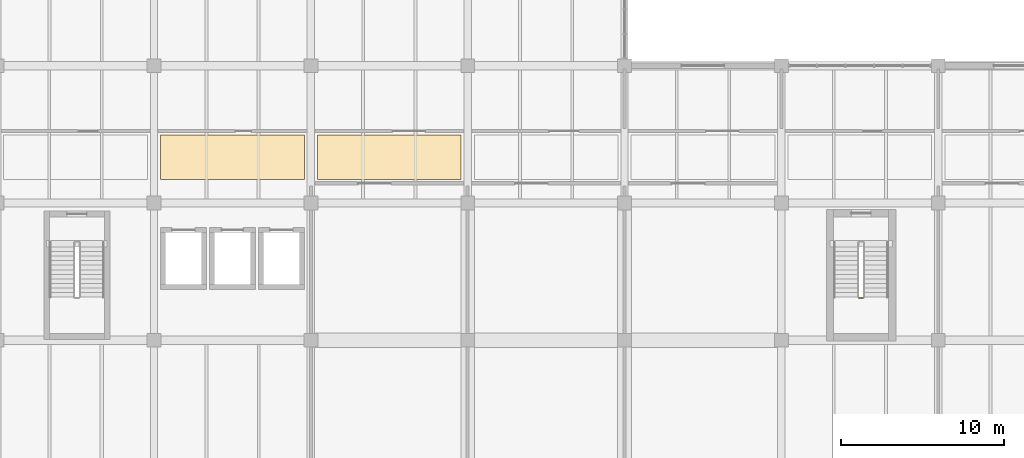
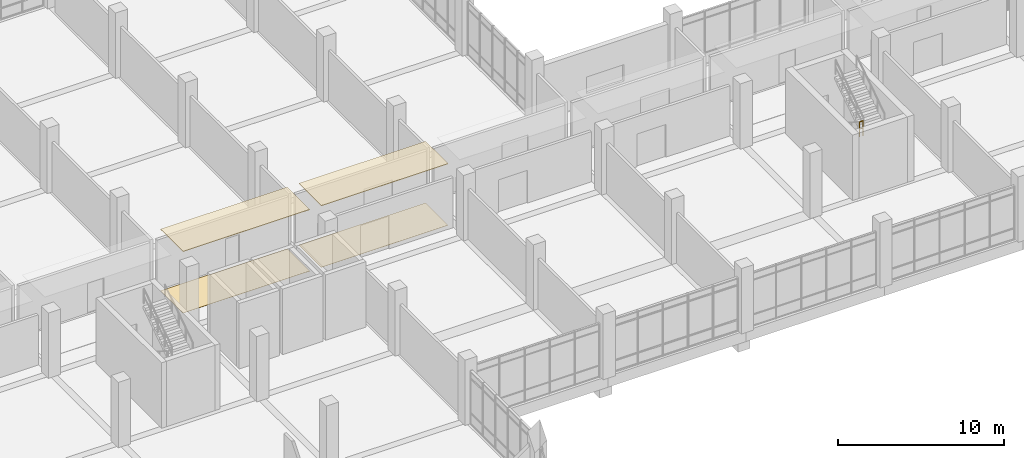
# One storey, part 140 of 152: 4 coverings, 1 railing.
"""IFC4 building model written with IfcOpenShell, lengths in metres."""

from ifc_helpers import new_model, si_unit, direction, frame, origin, origin_2d, place, context, subcontext, project, spatial, polyline, circle, outline, extrude, material, layer, layer_set, type_object, element, save


model = new_model("IFC4")

# Units and contexts
model_context = context("Model", 3, precision=1e-05, world=origin(), true_north=direction((0.0, 1.0)))
body_context = subcontext(model_context, "Body", "Model", "MODEL_VIEW")
ifc_project = project(units=[si_unit("LENGTHUNIT", "METRE"), si_unit("AREAUNIT", "SQUARE_METRE"), si_unit("VOLUMEUNIT", "CUBIC_METRE"), si_unit("PLANEANGLEUNIT", "RADIAN"), si_unit("MASSUNIT", "GRAM", prefix="KILO")], contexts=[model_context])

# Site, building, storey
site_placement = place(None, origin())
site = spatial("IfcSite", under=ifc_project, at=site_placement, CompositionType="ELEMENT")
building_placement = place(site_placement, origin())
building = spatial("IfcBuilding", under=site, at=building_placement, Name="Oolite Switchyard Hospital", CompositionType="ELEMENT")
storey_placement = place(building_placement, frame((0.0, 0.0, 5.10009765625)))
storey = spatial("IfcBuildingStorey", under=building, at=storey_placement, Name="L01", CompositionType="ELEMENT", Elevation=5.10009765625)

# Coverings
ifc_material_1 = material(Name="Hygienic washable mineral-fibre acoustic ceiling")
ifc_layer_1 = layer(ifc_material_1, 0.0400390625)
ifc_layer_set_1 = layer_set([ifc_layer_1], Name="COV-CEIL-AC60")
covering_type_1 = type_object("IfcCoveringType", Name="COV-CEIL-AC60", PredefinedType="CEILING", material=ifc_layer_set_1)
covering_1_placement = place(storey_placement, frame((0.0, 0.0, 4.5)))
element("IfcCovering", 1, at=covering_1_placement, inside=storey, type_object=covering_type_1, Name="L01 Surgical Clean Corridor Ceiling 5", PredefinedType="CEILING", context=body_context, shape_type="SweptSolid", body=[
    extrude(outline(polyline([(48.39990234375, 102.25), (57.199951171875, 102.25), (57.199951171875, 104.949951171875), (48.39990234375, 104.949951171875), (48.39990234375, 102.25)])), origin(), (0.0, 0.0, 1.0), 0.039794921875),
])
covering_2_placement = place(storey_placement, frame((0.0, 0.0, 4.5)))
element("IfcCovering", 2, at=covering_2_placement, inside=storey, type_object=covering_type_1, Name="L01 Surgical Clean Corridor Ceiling 6", PredefinedType="CEILING", context=body_context, shape_type="SweptSolid", body=[
    extrude(outline(polyline([(58.0, 102.25), (66.800048828125, 102.25), (66.800048828125, 104.949951171875), (58.0, 104.949951171875), (58.0, 102.25)])), origin(), (0.0, 0.0, 1.0), 0.039794921875),
])
ifc_material_2 = material(Name="Conductive homogeneous sheet vinyl flooring")
ifc_layer_2 = layer(ifc_material_2, 0.014892578125)
ifc_layer_set_2 = layer_set([ifc_layer_2], Name="COV-FLR-ESD15")
covering_type_2 = type_object("IfcCoveringType", Name="COV-FLR-ESD15", PredefinedType="FLOORING", material=ifc_layer_set_2)
covering_3_placement = place(storey_placement, origin())
element("IfcCovering", 3, at=covering_3_placement, inside=storey, type_object=covering_type_2, Name="L01 Surgical Clean Corridor Flooring 5", PredefinedType="FLOORING", context=body_context, shape_type="SweptSolid", body=[
    extrude(outline(polyline([(48.39990234375, 102.25), (57.199951171875, 102.25), (57.199951171875, 104.949951171875), (48.39990234375, 104.949951171875), (48.39990234375, 102.25)])), origin(), (0.0, 0.0, 1.0), 0.014892578125),
])
covering_4_placement = place(storey_placement, origin())
element("IfcCovering", 4, at=covering_4_placement, inside=storey, type_object=covering_type_2, Name="L01 Surgical Clean Corridor Flooring 6", PredefinedType="FLOORING", context=body_context, shape_type="SweptSolid", body=[
    extrude(outline(polyline([(58.0, 102.25), (66.800048828125, 102.25), (66.800048828125, 104.949951171875), (58.0, 104.949951171875), (58.0, 102.25)])), origin(), (0.0, 0.0, 1.0), 0.014892578125),
])

# Railing
ifc_material_3 = material(Name="Galvanized painted architectural steel handrail", Category="steel")
railing_type = type_object("IfcRailingType", Name="RL-STAIR-GRD", PredefinedType="GUARDRAIL", material=ifc_material_3)
railing_placement = place(storey_placement, frame((91.159912109375, 94.97998046875, 2.39990234375)))
element("IfcRailing", 5, at=railing_placement, inside=storey, type_object=railing_type, Name="L01 ST-09 stair guard 2", PredefinedType="GUARDRAIL", context=body_context, shape_type="SweptSolid", body=[
    extrude(circle(Radius=0.02392578125, at=origin_2d()), frame((0.0, 0.0, 1.076171875), z_axis=(1.0, 0.0, 0.0), x_axis=(0.0, 1.0, 0.0)), (0.0, 0.0, 1.0), 0.239990234375),
    extrude(circle(Radius=0.015625, at=origin_2d()), frame((0.0, 0.0, 0.550048828125), z_axis=(1.0, 0.0, 0.0), x_axis=(0.0, 1.0, 0.0)), (0.0, 0.0, 1.0), 0.239990234375),
    extrude(circle(Radius=0.02099609375, at=origin_2d()), origin(), (0.0, 0.0, 1.0), 1.052001953125),
    extrude(circle(Radius=0.02099609375, at=origin_2d()), frame((0.239990234375, 0.0, 0.0)), (0.0, 0.0, 1.0), 1.052001953125),
])

save(model, "model.ifc")
